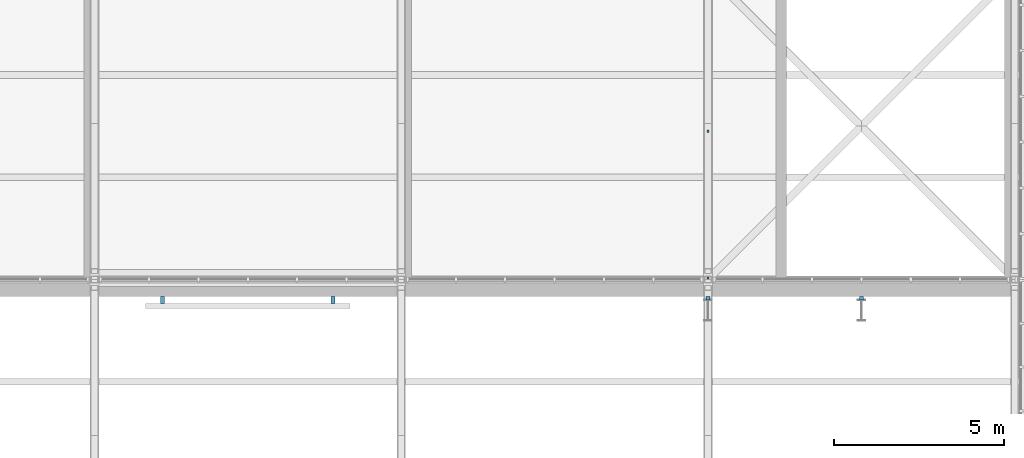
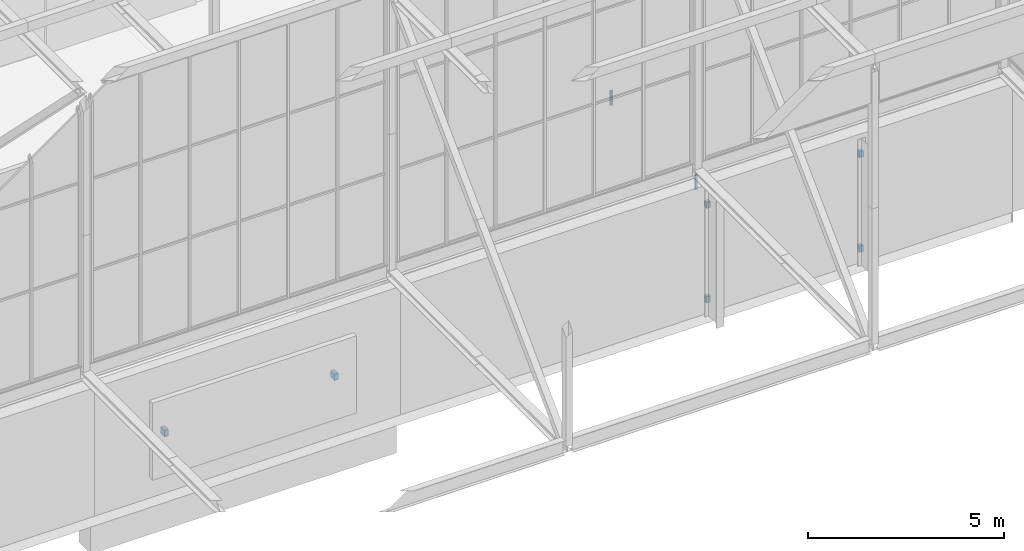
# One storey, part 208 of 646: 8 discrete accessories.
"""IFC4 building model written with IfcOpenShell, lengths in metres."""

from ifc_helpers import new_model, si_unit, direction, frame, origin, origin_2d, place, context, subcontext, project, spatial, rectangle, extrude, material, type_object, element, save


model = new_model("IFC4")

# Units and contexts
model_context = context("Model", 3, precision=1e-05, world=origin(), true_north=direction((0.0, 1.0)))
body_context = subcontext(model_context, "Body", "Model", "MODEL_VIEW")
ifc_project = project(units=[si_unit("LENGTHUNIT", "METRE"), si_unit("AREAUNIT", "SQUARE_METRE"), si_unit("VOLUMEUNIT", "CUBIC_METRE"), si_unit("PLANEANGLEUNIT", "RADIAN"), si_unit("MASSUNIT", "GRAM", prefix="KILO")], contexts=[model_context])

# Site, building, storey
site_placement = place(None, origin())
site = spatial("IfcSite", under=ifc_project, at=site_placement, CompositionType="ELEMENT")
building_placement = place(site_placement, origin())
building = spatial("IfcBuilding", under=site, at=building_placement, Name="Silverbay Arena", CompositionType="ELEMENT")
storey_placement = place(building_placement, frame((0.0, 0.0, 33.5)))
storey = spatial("IfcBuildingStorey", under=building, at=storey_placement, Name="L05", CompositionType="ELEMENT", Elevation=33.5)

# Discrete accessories
ifc_material_1 = material(Name="Steel S355", Category="steel")
discrete_accessory_type_1 = type_object("IfcDiscreteAccessoryType", Name="Ceiling hanger", PredefinedType="BRACKET", material=ifc_material_1)
for number, where, z_axis, x_axis, name in (
    (1, (198.0, 18.0400390625, 3.5498046875), (0.0, 0.0, 1.0), (1.0, 0.0, 0.0), "Ceiling hanger"),
    (2, (198.0, 22.35009765625, 3.5498046875), (0.0, 0.0, 1.0), (1.0, 0.0, 0.0), "Ceiling hanger"),
):
    element("IfcDiscreteAccessory", number, at=place(storey_placement, frame(where, z_axis=z_axis, x_axis=x_axis)), inside=storey, type_object=discrete_accessory_type_1, Name=name, PredefinedType="BRACKET", context=body_context, shape_type="SweptSolid", body=[
        extrude(rectangle(XDim=0.06005859375, YDim=0.06005859375, at=origin_2d()), origin(), (0.0, 0.0, 1.0), 0.449951171875),
    ])
ifc_material_2 = material(Name="Steel S355", Category="steel")
discrete_accessory_type_2 = type_object("IfcDiscreteAccessoryType", Name="Steel bracket plate", PredefinedType="BRACKET", material=ifc_material_2)
for number, where, z_axis, x_axis, name in (
    (3, (182.0, 17.39990234375, 1.89990234375), (0.0, 0.0, 1.0), (1.0, 0.0, 0.0), "Louvre support bracket"),
    (4, (187.0, 17.39990234375, 1.89990234375), (0.0, 0.0, 1.0), (1.0, 0.0, 0.0), "Louvre support bracket"),
):
    element("IfcDiscreteAccessory", number, at=place(storey_placement, frame(where, z_axis=z_axis, x_axis=x_axis)), inside=storey, type_object=discrete_accessory_type_2, Name=name, PredefinedType="BRACKET", context=body_context, shape_type="SweptSolid", body=[
        extrude(rectangle(XDim=0.1201171875, YDim=0.199951171875, at=origin_2d()), origin(), (0.0, 0.0, 1.0), 0.199951171875),
    ])
for number, where, z_axis, x_axis, name in (
    (5, (198.0, 17.449951171875, 0.39990234375), (0.0, 0.0, 1.0), (1.0, 0.0, 0.0), "Fin bracket"),
    (6, (198.0, 17.449951171875, 3.33984375), (0.0, 0.0, 1.0), (1.0, 0.0, 0.0), "Fin bracket"),
    (7, (202.5, 17.449951171875, 0.39990234375), (0.0, 0.0, 1.0), (1.0, 0.0, 0.0), "Fin bracket"),
    (8, (202.5, 17.449951171875, 3.33984375), (0.0, 0.0, 1.0), (1.0, 0.0, 0.0), "Fin bracket"),
):
    element("IfcDiscreteAccessory", number, at=place(storey_placement, frame(where, z_axis=z_axis, x_axis=x_axis)), inside=storey, type_object=discrete_accessory_type_2, Name=name, PredefinedType="BRACKET", context=body_context, shape_type="SweptSolid", body=[
        extrude(rectangle(XDim=0.1201171875, YDim=0.10009765625, at=origin_2d()), origin(), (0.0, 0.0, 1.0), 0.199951171875),
    ])

save(model, "model.ifc")
